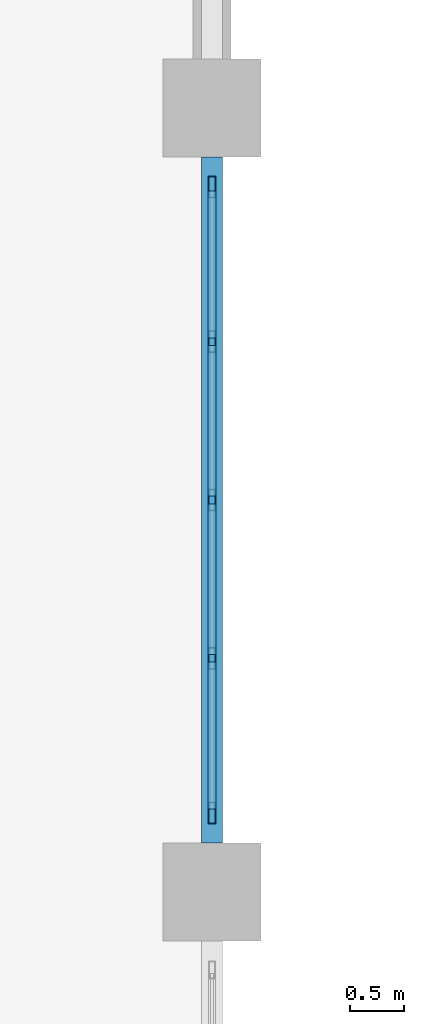
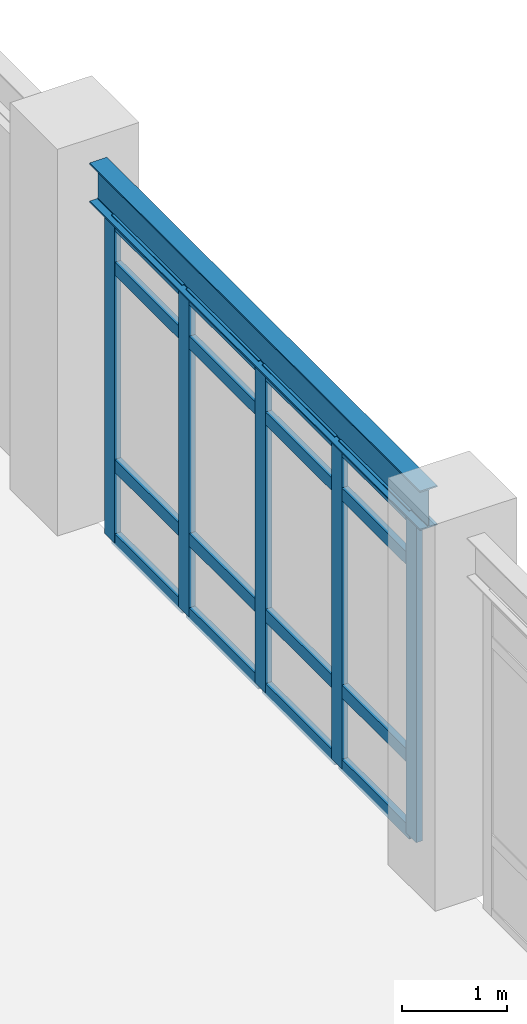
# One storey, part 17 of 106: 21 members, 1 beam, 1 element without a shape of its own.
"""IFC4 building model written with IfcOpenShell, lengths in metres."""

from ifc_helpers import new_model, si_unit, direction, frame, origin, origin_2d, place, context, subcontext, project, spatial, hollow_rectangle, i_section, extrude, material, layer, layer_set, material_profile, profile_set, type_object, element, aggregate, save


model = new_model("IFC4")

# Units and contexts
model_context = context("Model", 3, precision=1e-05, world=origin(), true_north=direction((0.0, 1.0)))
body_context = subcontext(model_context, "Body", "Model", "MODEL_VIEW")
ifc_project = project(units=[si_unit("LENGTHUNIT", "METRE"), si_unit("AREAUNIT", "SQUARE_METRE"), si_unit("VOLUMEUNIT", "CUBIC_METRE"), si_unit("PLANEANGLEUNIT", "RADIAN"), si_unit("MASSUNIT", "GRAM", prefix="KILO")], contexts=[model_context])

# Site, building, storey
site_placement = place(None, origin())
site = spatial("IfcSite", under=ifc_project, at=site_placement, CompositionType="ELEMENT")
building_placement = place(site_placement, origin())
building = spatial("IfcBuilding", under=site, at=building_placement, Name="Carrowvane Square Congress Hotel", CompositionType="ELEMENT")
storey_placement = place(building_placement, frame((0.0, 0.0, 10.5)))
storey = spatial("IfcBuildingStorey", under=building, at=storey_placement, Name="L02", CompositionType="ELEMENT", Elevation=10.5)

# Beam
ifc_material_1 = material(Name="Steel S355", Category="steel")
ifc_material_profile_1 = material_profile(ifc_material_1, i_section(OverallWidth=0.19140625, OverallDepth=0.4599609375, WebThickness=0.010009765625, FlangeThickness=0.01611328125, FilletRadius=0.01025390625, at=origin_2d()), Name="UKB 457x191x82")
ifc_profile_set_1 = profile_set([ifc_material_profile_1], Name="Steel S355")
beam_type = type_object("IfcBeamType", Name="BM-ST-UKB457", PredefinedType="SPANDREL", material=ifc_profile_set_1)
beam_placement = place(storey_placement, frame((62.0, 27.449951171875, 3.989990234375), z_axis=(0.0, 1.0, 0.0), x_axis=(-1.0, 0.0, 0.0)))
element("IfcBeam", 1, at=beam_placement, inside=storey, type_object=beam_type, Name="L03 girder 8/D-E", PredefinedType="SPANDREL", context=body_context, shape_type="SweptSolid", body=[
    extrude(i_section(OverallWidth=0.19140625, OverallDepth=0.4599609375, WebThickness=0.010009765625, FlangeThickness=0.01611328125, FilletRadius=0.01025390625, at=origin_2d()), origin(), (0.0, 0.0, 1.0), 6.300048828125),
])

# Curtain wall, members
ifc_material_2 = material(Name="Anodised aluminium", Category="aluminium")
ifc_layer = layer(ifc_material_2, 0.174072265625)
ifc_layer_set = layer_set([ifc_layer], Name="Anodised aluminium")
curtain_wall_type = type_object("IfcCurtainWallType", Name="CW-SYS-2", PredefinedType="NOTDEFINED", material=ifc_layer_set)
curtain_wall_placement = place(storey_placement, origin())
curtain_wall = element("IfcCurtainWall", 2, at=curtain_wall_placement, inside=storey, type_object=curtain_wall_type, Name="L02 unitised curtain wall 185", PredefinedType="NOTDEFINED")
ifc_material_3 = material(Name="Anodised aluminium", Category="aluminium")
ifc_material_profile_2 = material_profile(ifc_material_3, hollow_rectangle(XDim=0.070068359375, YDim=0.199951171875, WallThickness=0.0048828125, at=origin_2d()), Name="CW-ML 70x200x5")
ifc_profile_set_2 = profile_set([ifc_material_profile_2], Name="Anodised aluminium")
member_type_1 = type_object("IfcMemberType", Name="CW-MUL-2", PredefinedType="MULLION", material=ifc_profile_set_2)
member_1_placement = place(storey_placement, frame((62.0, 33.47509765625, 0.0), z_axis=(0.0, 0.0, 1.0), x_axis=(1.0, 0.0, 0.0)))
member_1 = element("IfcMember", 3, at=member_1_placement, type_object=member_type_1, Name="CW-2 mullion 1", PredefinedType="MULLION", context=body_context, shape_type="SweptSolid", body=[
    extrude(hollow_rectangle(XDim=0.070068359375, YDim=0.199951171875, WallThickness=0.0048828125, at=origin_2d()), origin(), (0.0, 0.0, 1.0), 3.7451171875),
])
member_2_placement = place(storey_placement, frame((62.0, 32.054931640625, 0.0), z_axis=(0.0, 0.0, 1.0), x_axis=(1.0, 0.0, 0.0)))
member_2 = element("IfcMember", 4, at=member_2_placement, type_object=member_type_1, Name="CW-2 mullion 2", PredefinedType="MULLION", context=body_context, shape_type="SweptSolid", body=[
    extrude(hollow_rectangle(XDim=0.070068359375, YDim=0.199951171875, WallThickness=0.0048828125, at=origin_2d()), origin(), (0.0, 0.0, 1.0), 3.7451171875),
])
member_3_placement = place(storey_placement, frame((62.0, 30.60009765625, 0.0), z_axis=(0.0, 0.0, 1.0), x_axis=(1.0, 0.0, 0.0)))
member_3 = element("IfcMember", 5, at=member_3_placement, type_object=member_type_1, Name="CW-2 mullion 3", PredefinedType="MULLION", context=body_context, shape_type="SweptSolid", body=[
    extrude(hollow_rectangle(XDim=0.070068359375, YDim=0.199951171875, WallThickness=0.0048828125, at=origin_2d()), origin(), (0.0, 0.0, 1.0), 3.7451171875),
])
member_4_placement = place(storey_placement, frame((62.0, 29.14501953125, 0.0), z_axis=(0.0, 0.0, 1.0), x_axis=(1.0, 0.0, 0.0)))
member_4 = element("IfcMember", 6, at=member_4_placement, type_object=member_type_1, Name="CW-2 mullion 4", PredefinedType="MULLION", context=body_context, shape_type="SweptSolid", body=[
    extrude(hollow_rectangle(XDim=0.070068359375, YDim=0.199951171875, WallThickness=0.0048828125, at=origin_2d()), origin(), (0.0, 0.0, 1.0), 3.7451171875),
])
member_5_placement = place(storey_placement, frame((62.0, 27.72509765625, 0.0), z_axis=(0.0, 0.0, 1.0), x_axis=(1.0, 0.0, 0.0)))
member_5 = element("IfcMember", 7, at=member_5_placement, type_object=member_type_1, Name="CW-2 mullion 5", PredefinedType="MULLION", context=body_context, shape_type="SweptSolid", body=[
    extrude(hollow_rectangle(XDim=0.070068359375, YDim=0.199951171875, WallThickness=0.0048828125, at=origin_2d()), origin(), (0.0, 0.0, 1.0), 3.7451171875),
])
ifc_material_4 = material(Name="Anodised aluminium", Category="aluminium")
ifc_material_profile_3 = material_profile(ifc_material_4, hollow_rectangle(XDim=0.070068359375, YDim=0.14990234375, WallThickness=0.0048828125, at=origin_2d()), Name="CW-TR 70x150x5")
ifc_profile_set_3 = profile_set([ifc_material_profile_3], Name="Anodised aluminium")
member_type_2 = type_object("IfcMemberType", Name="CW-TRN-2", PredefinedType="USERDEFINED", material=ifc_profile_set_3)
member_6_placement = place(storey_placement, frame((62.0, 33.43994140625, 0.034912109375), z_axis=(0.0, -1.0, 0.0), x_axis=(1.0, 0.0, 0.0)))
member_6 = element("IfcMember", 8, at=member_6_placement, type_object=member_type_2, Name="CW-2 transom 1.1", ObjectType="TRANSOM", PredefinedType="USERDEFINED", context=body_context, shape_type="SweptSolid", body=[
    extrude(hollow_rectangle(XDim=0.070068359375, YDim=0.14990234375, WallThickness=0.0048828125, at=origin_2d()), origin(), (0.0, 0.0, 1.0), 1.349853515625),
])
member_7_placement = place(storey_placement, frame((62.0, 33.43994140625, 0.89990234375), z_axis=(0.0, -1.0, 0.0), x_axis=(1.0, 0.0, 0.0)))
member_7 = element("IfcMember", 9, at=member_7_placement, type_object=member_type_2, Name="CW-2 transom 1.2", ObjectType="TRANSOM", PredefinedType="USERDEFINED", context=body_context, shape_type="SweptSolid", body=[
    extrude(hollow_rectangle(XDim=0.070068359375, YDim=0.14990234375, WallThickness=0.0048828125, at=origin_2d()), origin(), (0.0, 0.0, 1.0), 1.349853515625),
])
member_8_placement = place(storey_placement, frame((62.0, 33.43994140625, 3.195068359375), z_axis=(0.0, -1.0, 0.0), x_axis=(1.0, 0.0, 0.0)))
member_8 = element("IfcMember", 10, at=member_8_placement, type_object=member_type_2, Name="CW-2 transom 1.3", ObjectType="TRANSOM", PredefinedType="USERDEFINED", context=body_context, shape_type="SweptSolid", body=[
    extrude(hollow_rectangle(XDim=0.070068359375, YDim=0.14990234375, WallThickness=0.0048828125, at=origin_2d()), origin(), (0.0, 0.0, 1.0), 1.349853515625),
])
member_9_placement = place(storey_placement, frame((62.0, 33.43994140625, 3.7099609375), z_axis=(0.0, -1.0, 0.0), x_axis=(1.0, 0.0, 0.0)))
member_9 = element("IfcMember", 11, at=member_9_placement, type_object=member_type_2, Name="CW-2 transom 1.4", ObjectType="TRANSOM", PredefinedType="USERDEFINED", context=body_context, shape_type="SweptSolid", body=[
    extrude(hollow_rectangle(XDim=0.070068359375, YDim=0.14990234375, WallThickness=0.0048828125, at=origin_2d()), origin(), (0.0, 0.0, 1.0), 1.349853515625),
])
member_10_placement = place(storey_placement, frame((62.0, 32.02001953125, 0.034912109375), z_axis=(0.0, -1.0, 0.0), x_axis=(1.0, 0.0, 0.0)))
member_10 = element("IfcMember", 12, at=member_10_placement, type_object=member_type_2, Name="CW-2 transom 2.1", ObjectType="TRANSOM", PredefinedType="USERDEFINED", context=body_context, shape_type="SweptSolid", body=[
    extrude(hollow_rectangle(XDim=0.070068359375, YDim=0.14990234375, WallThickness=0.0048828125, at=origin_2d()), origin(), (0.0, 0.0, 1.0), 1.385009765625),
])
member_11_placement = place(storey_placement, frame((62.0, 32.02001953125, 0.89990234375), z_axis=(0.0, -1.0, 0.0), x_axis=(1.0, 0.0, 0.0)))
member_11 = element("IfcMember", 13, at=member_11_placement, type_object=member_type_2, Name="CW-2 transom 2.2", ObjectType="TRANSOM", PredefinedType="USERDEFINED", context=body_context, shape_type="SweptSolid", body=[
    extrude(hollow_rectangle(XDim=0.070068359375, YDim=0.14990234375, WallThickness=0.0048828125, at=origin_2d()), origin(), (0.0, 0.0, 1.0), 1.385009765625),
])
member_12_placement = place(storey_placement, frame((62.0, 32.02001953125, 3.195068359375), z_axis=(0.0, -1.0, 0.0), x_axis=(1.0, 0.0, 0.0)))
member_12 = element("IfcMember", 14, at=member_12_placement, type_object=member_type_2, Name="CW-2 transom 2.3", ObjectType="TRANSOM", PredefinedType="USERDEFINED", context=body_context, shape_type="SweptSolid", body=[
    extrude(hollow_rectangle(XDim=0.070068359375, YDim=0.14990234375, WallThickness=0.0048828125, at=origin_2d()), origin(), (0.0, 0.0, 1.0), 1.385009765625),
])
member_13_placement = place(storey_placement, frame((62.0, 32.02001953125, 3.7099609375), z_axis=(0.0, -1.0, 0.0), x_axis=(1.0, 0.0, 0.0)))
member_13 = element("IfcMember", 15, at=member_13_placement, type_object=member_type_2, Name="CW-2 transom 2.4", ObjectType="TRANSOM", PredefinedType="USERDEFINED", context=body_context, shape_type="SweptSolid", body=[
    extrude(hollow_rectangle(XDim=0.070068359375, YDim=0.14990234375, WallThickness=0.0048828125, at=origin_2d()), origin(), (0.0, 0.0, 1.0), 1.385009765625),
])
member_14_placement = place(storey_placement, frame((62.0, 30.56494140625, 0.034912109375), z_axis=(0.0, -1.0, 0.0), x_axis=(1.0, 0.0, 0.0)))
member_14 = element("IfcMember", 16, at=member_14_placement, type_object=member_type_2, Name="CW-2 transom 3.1", ObjectType="TRANSOM", PredefinedType="USERDEFINED", context=body_context, shape_type="SweptSolid", body=[
    extrude(hollow_rectangle(XDim=0.070068359375, YDim=0.14990234375, WallThickness=0.0048828125, at=origin_2d()), origin(), (0.0, 0.0, 1.0), 1.385009765625),
])
member_15_placement = place(storey_placement, frame((62.0, 30.56494140625, 0.89990234375), z_axis=(0.0, -1.0, 0.0), x_axis=(1.0, 0.0, 0.0)))
member_15 = element("IfcMember", 17, at=member_15_placement, type_object=member_type_2, Name="CW-2 transom 3.2", ObjectType="TRANSOM", PredefinedType="USERDEFINED", context=body_context, shape_type="SweptSolid", body=[
    extrude(hollow_rectangle(XDim=0.070068359375, YDim=0.14990234375, WallThickness=0.0048828125, at=origin_2d()), origin(), (0.0, 0.0, 1.0), 1.385009765625),
])
member_16_placement = place(storey_placement, frame((62.0, 30.56494140625, 3.195068359375), z_axis=(0.0, -1.0, 0.0), x_axis=(1.0, 0.0, 0.0)))
member_16 = element("IfcMember", 18, at=member_16_placement, type_object=member_type_2, Name="CW-2 transom 3.3", ObjectType="TRANSOM", PredefinedType="USERDEFINED", context=body_context, shape_type="SweptSolid", body=[
    extrude(hollow_rectangle(XDim=0.070068359375, YDim=0.14990234375, WallThickness=0.0048828125, at=origin_2d()), origin(), (0.0, 0.0, 1.0), 1.385009765625),
])
member_17_placement = place(storey_placement, frame((62.0, 30.56494140625, 3.7099609375), z_axis=(0.0, -1.0, 0.0), x_axis=(1.0, 0.0, 0.0)))
member_17 = element("IfcMember", 19, at=member_17_placement, type_object=member_type_2, Name="CW-2 transom 3.4", ObjectType="TRANSOM", PredefinedType="USERDEFINED", context=body_context, shape_type="SweptSolid", body=[
    extrude(hollow_rectangle(XDim=0.070068359375, YDim=0.14990234375, WallThickness=0.0048828125, at=origin_2d()), origin(), (0.0, 0.0, 1.0), 1.385009765625),
])
member_18_placement = place(storey_placement, frame((62.0, 29.110107421875, 0.034912109375), z_axis=(0.0, -1.0, 0.0), x_axis=(1.0, 0.0, 0.0)))
member_18 = element("IfcMember", 20, at=member_18_placement, type_object=member_type_2, Name="CW-2 transom 4.1", ObjectType="TRANSOM", PredefinedType="USERDEFINED", context=body_context, shape_type="SweptSolid", body=[
    extrude(hollow_rectangle(XDim=0.070068359375, YDim=0.14990234375, WallThickness=0.0048828125, at=origin_2d()), origin(), (0.0, 0.0, 1.0), 1.35009765625),
])
member_19_placement = place(storey_placement, frame((62.0, 29.110107421875, 0.89990234375), z_axis=(0.0, -1.0, 0.0), x_axis=(1.0, 0.0, 0.0)))
member_19 = element("IfcMember", 21, at=member_19_placement, type_object=member_type_2, Name="CW-2 transom 4.2", ObjectType="TRANSOM", PredefinedType="USERDEFINED", context=body_context, shape_type="SweptSolid", body=[
    extrude(hollow_rectangle(XDim=0.070068359375, YDim=0.14990234375, WallThickness=0.0048828125, at=origin_2d()), origin(), (0.0, 0.0, 1.0), 1.35009765625),
])
member_20_placement = place(storey_placement, frame((62.0, 29.110107421875, 3.195068359375), z_axis=(0.0, -1.0, 0.0), x_axis=(1.0, 0.0, 0.0)))
member_20 = element("IfcMember", 22, at=member_20_placement, type_object=member_type_2, Name="CW-2 transom 4.3", ObjectType="TRANSOM", PredefinedType="USERDEFINED", context=body_context, shape_type="SweptSolid", body=[
    extrude(hollow_rectangle(XDim=0.070068359375, YDim=0.14990234375, WallThickness=0.0048828125, at=origin_2d()), origin(), (0.0, 0.0, 1.0), 1.35009765625),
])
member_21_placement = place(storey_placement, frame((62.0, 29.110107421875, 3.7099609375), z_axis=(0.0, -1.0, 0.0), x_axis=(1.0, 0.0, 0.0)))
member_21 = element("IfcMember", 23, at=member_21_placement, type_object=member_type_2, Name="CW-2 transom 4.4", ObjectType="TRANSOM", PredefinedType="USERDEFINED", context=body_context, shape_type="SweptSolid", body=[
    extrude(hollow_rectangle(XDim=0.070068359375, YDim=0.14990234375, WallThickness=0.0048828125, at=origin_2d()), origin(), (0.0, 0.0, 1.0), 1.35009765625),
])
aggregate(curtain_wall, [member_1, member_2, member_3, member_4, member_5, member_6, member_7, member_8, member_9, member_10, member_11, member_12, member_13, member_14, member_15, member_16, member_17, member_18, member_19, member_20, member_21])

save(model, "model.ifc")
